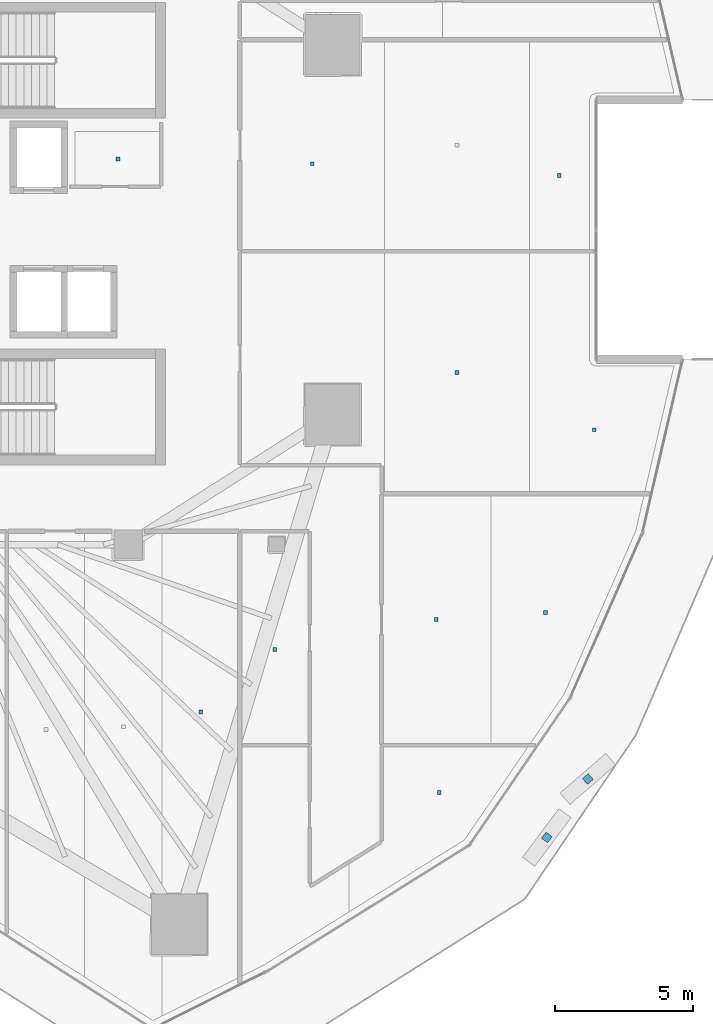
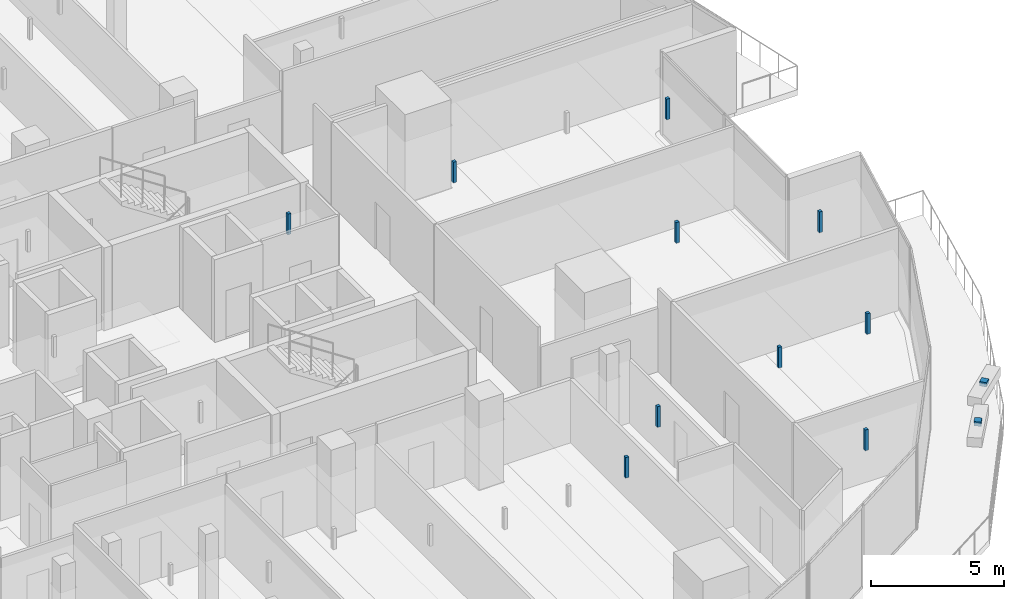
# One storey, part 27 of 35: 12 discrete accessories.
"""IFC4 building model written with IfcOpenShell, lengths in metres."""

from ifc_helpers import new_model, si_unit, direction, frame, origin, origin_2d, place, context, subcontext, project, spatial, rectangle, extrude, material, type_object, element, save


model = new_model("IFC4")

# Units and contexts
model_context = context("Model", 3, precision=1e-05, world=origin(), true_north=direction((0.0, 1.0)))
body_context = subcontext(model_context, "Body", "Model", "MODEL_VIEW")
ifc_project = project(units=[si_unit("LENGTHUNIT", "METRE"), si_unit("AREAUNIT", "SQUARE_METRE"), si_unit("VOLUMEUNIT", "CUBIC_METRE"), si_unit("PLANEANGLEUNIT", "RADIAN"), si_unit("MASSUNIT", "GRAM", prefix="KILO")], contexts=[model_context])

# Site, building, storey
site_placement = place(None, origin())
site = spatial("IfcSite", under=ifc_project, at=site_placement, CompositionType="ELEMENT")
building_placement = place(site_placement, origin())
building = spatial("IfcBuilding", under=site, at=building_placement, Name="Qorvath Tower", CompositionType="ELEMENT")
storey_placement = place(building_placement, frame((0.0, 0.0, 166.5)))
storey = spatial("IfcBuildingStorey", under=building, at=storey_placement, Name="L38", CompositionType="ELEMENT", Elevation=166.5)

# Discrete accessories
ifc_material = material(Name="Galvanised steel bracket", Category="steel")
discrete_accessory_type = type_object("IfcDiscreteAccessoryType", Name="DA-BRACKET", PredefinedType="BRACKET", material=ifc_material)
for number, where, z_axis, x_axis, name in (
    (1, (-1.986083984375, -22.09423828125, 3.64013671875), (0.0, 0.0, 1.0), (0.598468631429, 0.801146239582, 0.0), "Louvre Wave Support Bracket L38-03"),
    (2, (-0.494140625, -19.969482421875, 3.64013671875), (0.0, 0.0, 1.0), (0.755656884126, 0.654967688877, 0.0), "Louvre Wave Support Bracket L38-04"),
):
    element("IfcDiscreteAccessory", number, at=place(storey_placement, frame(where, z_axis=z_axis, x_axis=x_axis)), inside=storey, type_object=discrete_accessory_type, Name=name, PredefinedType="NOTDEFINED", context=body_context, shape_type="SweptSolid", body=[
        extrude(rectangle(XDim=0.280029296875, YDim=0.280029296875, at=origin_2d()), origin(), (0.0, 0.0, 1.0), 0.199951171875),
    ])
for number, where, z_axis, x_axis, name in (
    (3, (-17.572509765625, 2.5625, 2.85986328125), (0.0, 0.0, 1.0), (1.0, 0.0, 0.0), "Acoustic Ceiling Suspension Hanger T1-L38-003"),
    (4, (-14.561279296875, -17.533447265625, 2.85986328125), (0.0, 0.0, 1.0), (1.0, 0.0, 0.0), "Acoustic Ceiling Suspension Hanger T1-L38-027"),
    (5, (-5.896484375, -20.4658203125, 2.85986328125), (0.0, 0.0, 1.0), (1.0, 0.0, 0.0), "Acoustic Ceiling Suspension Hanger T1-L38-029"),
    (6, (-6.001708984375, -14.168701171875, 2.85986328125), (0.0, 0.0, 1.0), (1.0, 0.0, 0.0), "Acoustic Ceiling Suspension Hanger T1-L38-030"),
    (7, (-2.035400390625, -13.920654296875, 2.85986328125), (0.0, 0.0, 1.0), (1.0, 0.0, 0.0), "Acoustic Ceiling Suspension Hanger T1-L38-031"),
    (8, (-11.875, -15.258056640625, 2.85986328125), (0.0, 0.0, 1.0), (1.0, 0.0, 0.0), "Acoustic Ceiling Suspension Hanger T1-L38-032"),
    (9, (-5.251220703125, -5.191162109375, 2.85986328125), (0.0, 0.0, 1.0), (1.0, 0.0, 0.0), "Acoustic Ceiling Suspension Hanger T1-L38-034"),
    (10, (-0.261962890625, -7.276123046875, 2.85986328125), (0.0, 0.0, 1.0), (1.0, 0.0, 0.0), "Acoustic Ceiling Suspension Hanger T1-L38-035"),
    (11, (-10.50830078125, 2.392822265625, 2.85986328125), (0.0, 0.0, 1.0), (1.0, 0.0, 0.0), "Acoustic Ceiling Suspension Hanger T1-L38-036"),
    (12, (-1.53076171875, 1.96630859375, 2.85986328125), (0.0, 0.0, 1.0), (1.0, 0.0, 0.0), "Acoustic Ceiling Suspension Hanger T1-L38-038"),
):
    element("IfcDiscreteAccessory", number, at=place(storey_placement, frame(where, z_axis=z_axis, x_axis=x_axis)), inside=storey, type_object=discrete_accessory_type, Name=name, PredefinedType="NOTDEFINED", context=body_context, shape_type="SweptSolid", body=[
        extrude(rectangle(XDim=0.139892578125, YDim=0.139892578125, at=origin_2d()), origin(), (0.0, 0.0, 1.0), 0.949951171875),
    ])

save(model, "model.ifc")
